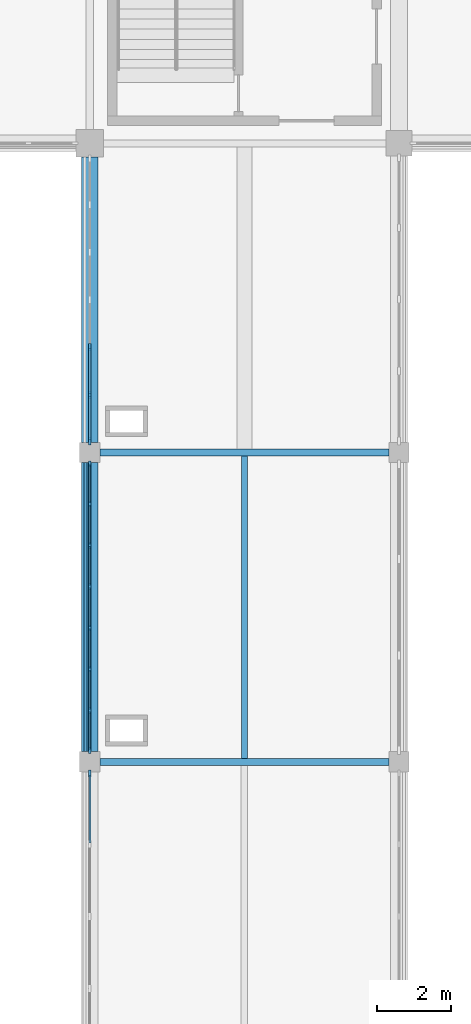
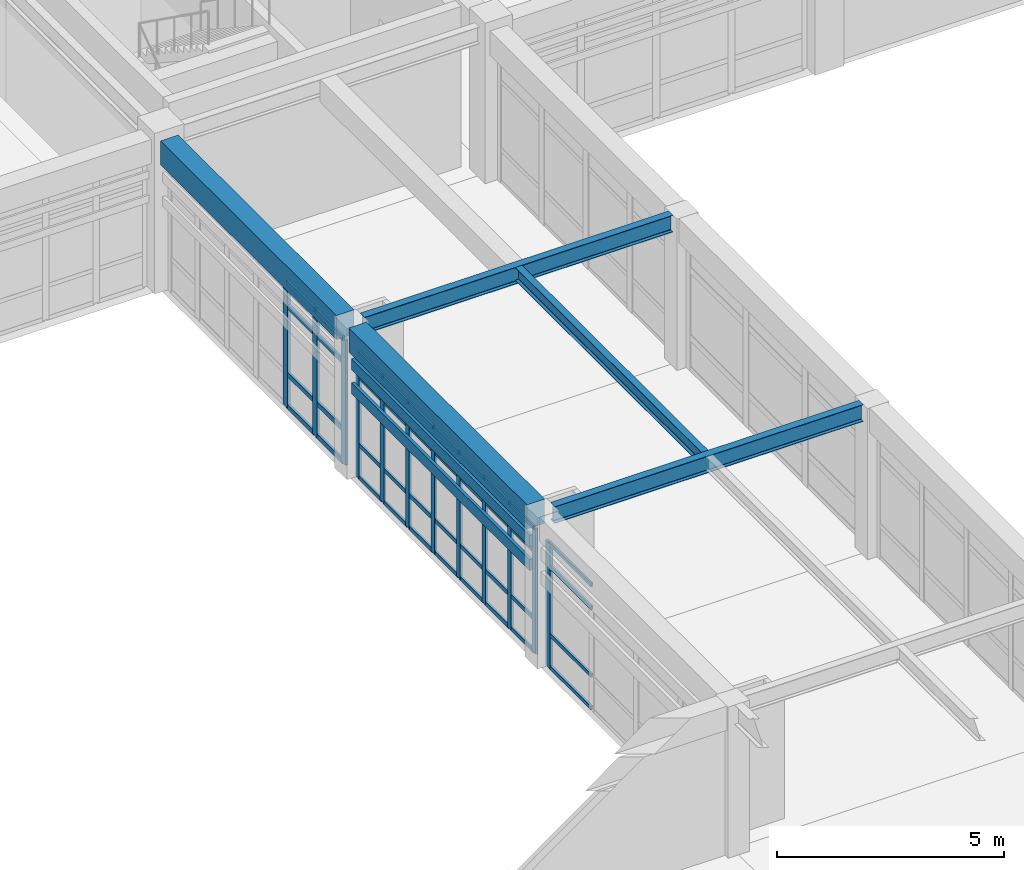
# One storey, part 9 of 40: 54 members, 5 beams, 3 elements without a shape of their own.
"""IFC4 building model written with IfcOpenShell, lengths in metres."""

from ifc_helpers import new_model, si_unit, direction, frame, origin, origin_2d, place, context, subcontext, project, spatial, rectangle, i_section, extrude, material, layer, layer_set, material_profile, profile_set, type_object, element, aggregate, save


model = new_model("IFC4")

# Units and contexts
model_context = context("Model", 3, precision=1e-05, world=origin(), true_north=direction((0.0, 1.0)))
body_context = subcontext(model_context, "Body", "Model", "MODEL_VIEW")
ifc_project = project(units=[si_unit("LENGTHUNIT", "METRE"), si_unit("AREAUNIT", "SQUARE_METRE"), si_unit("VOLUMEUNIT", "CUBIC_METRE"), si_unit("PLANEANGLEUNIT", "RADIAN"), si_unit("MASSUNIT", "GRAM", prefix="KILO")], contexts=[model_context])

# Site, building, storey
site_placement = place(None, origin())
site = spatial("IfcSite", under=ifc_project, at=site_placement, CompositionType="ELEMENT")
building_placement = place(site_placement, origin())
building = spatial("IfcBuilding", under=site, at=building_placement, Name="Porcellanite Civic Hall", CompositionType="ELEMENT")
storey_placement = place(building_placement, frame((0.0, 0.0, 19.080078125)))
storey = spatial("IfcBuildingStorey", under=building, at=storey_placement, Name="L04", CompositionType="ELEMENT", Elevation=19.080078125)

# Beams
ifc_material_1 = material(Name="Concrete N50 (50 MPa)", Category="concrete")
ifc_material_profile_1 = material_profile(ifc_material_1, rectangle(XDim=0.449951171875, YDim=0.64990234375, at=origin_2d()), Name="RC-450x650")
ifc_profile_set_1 = profile_set([ifc_material_profile_1], Name="Concrete N50 (50 MPa)")
beam_type_1 = type_object("IfcBeamType", Name="BM-RC650", PredefinedType="SPANDREL", material=ifc_profile_set_1)
beam_1_placement = place(storey_placement, frame((50.39990234375, 84.2744140625, 3.744873046875), z_axis=(0.0, 1.0, 0.0), x_axis=(-1.0, 0.0, 0.0)))
element("IfcBeam", 1, at=beam_1_placement, inside=storey, type_object=beam_type_1, Name="Beam Y L04 7-11", PredefinedType="SPANDREL", context=body_context, shape_type="SweptSolid", body=[
    extrude(rectangle(XDim=0.449951171875, YDim=0.64990234375, at=origin_2d()), origin(), (0.0, 0.0, 1.0), 7.85107421875),
])
beam_2_placement = place(storey_placement, frame((50.39990234375, 92.674560546875, 3.744873046875), z_axis=(0.0, 1.0, 0.0), x_axis=(-1.0, 0.0, 0.0)))
element("IfcBeam", 2, at=beam_2_placement, inside=storey, type_object=beam_type_1, Name="Beam Y L04 7-12", PredefinedType="SPANDREL", context=body_context, shape_type="SweptSolid", body=[
    extrude(rectangle(XDim=0.449951171875, YDim=0.64990234375, at=origin_2d()), origin(), (0.0, 0.0, 1.0), 7.7509765625),
])

# Curtain wall, member
ifc_material_2 = material(Name="Anodised aluminium and solar laminated glass", Category="aluminium")
ifc_layer_1 = layer(ifc_material_2, 0.179931640625)
ifc_layer_set_1 = layer_set([ifc_layer_1], Name="Anodised aluminium and solar laminated glass")
curtain_wall_type_1 = type_object("IfcCurtainWallType", Name="CW-SYS04", PredefinedType="NOTDEFINED", material=ifc_layer_set_1)
curtain_wall_1_placement = place(storey_placement, origin())
curtain_wall_1 = element("IfcCurtainWall", 3, at=curtain_wall_1_placement, inside=storey, type_object=curtain_wall_type_1, Name="Curtain wall CW-241", PredefinedType="NOTDEFINED")
ifc_material_3 = material(Name="Anodised aluminium 6063-T6", Category="aluminium")
ifc_material_profile_2 = material_profile(ifc_material_3, rectangle(XDim=0.074951171875, YDim=0.18994140625, at=origin_2d()), Name="AL-75x190")
ifc_profile_set_2 = profile_set([ifc_material_profile_2], Name="Anodised aluminium 6063-T6")
member_type_1 = type_object("IfcMemberType", Name="CWM-04", PredefinedType="MULLION", material=ifc_profile_set_2)
member_1_placement = place(storey_placement, frame((50.39990234375, 83.6865234375, 0.0), z_axis=(0.0, 0.0, 1.0), x_axis=(-1.0, 0.0, 0.0)))
member_1 = element("IfcMember", 4, at=member_1_placement, type_object=member_type_1, Name="CW-241 mullion 5", PredefinedType="MULLION", context=body_context, shape_type="SweptSolid", body=[
    extrude(rectangle(XDim=0.074951171875, YDim=0.18994140625, at=origin_2d()), origin(), (0.0, 0.0, 1.0), 3.369873046875),
])

# Curtain wall, members
ifc_material_4 = material(Name="Anodised aluminium and solar laminated glass", Category="aluminium")
ifc_layer_2 = layer(ifc_material_4, 0.179931640625)
ifc_layer_set_2 = layer_set([ifc_layer_2], Name="Anodised aluminium and solar laminated glass")
curtain_wall_type_2 = type_object("IfcCurtainWallType", Name="CW-SYS01", PredefinedType="NOTDEFINED", material=ifc_layer_set_2)
curtain_wall_2_placement = place(storey_placement, origin())
curtain_wall_2 = element("IfcCurtainWall", 5, at=curtain_wall_2_placement, inside=storey, type_object=curtain_wall_type_2, Name="Curtain wall CW-245", PredefinedType="NOTDEFINED")
ifc_material_5 = material(Name="Anodised aluminium 6063-T6", Category="aluminium")
ifc_material_profile_3 = material_profile(ifc_material_5, rectangle(XDim=0.070068359375, YDim=0.199951171875, at=origin_2d()), Name="AL-70x200")
ifc_profile_set_3 = profile_set([ifc_material_profile_3], Name="Anodised aluminium 6063-T6")
member_type_2 = type_object("IfcMemberType", Name="CWM-05", PredefinedType="MULLION", material=ifc_profile_set_3)
member_2_placement = place(storey_placement, frame((50.39990234375, 92.7109375, 0.0), z_axis=(0.0, 0.0, 1.0), x_axis=(-1.0, 0.0, 0.0)))
member_2 = element("IfcMember", 6, at=member_2_placement, type_object=member_type_2, Name="CW-245 mullion 1", PredefinedType="MULLION", context=body_context, shape_type="SweptSolid", body=[
    extrude(rectangle(XDim=0.070068359375, YDim=0.199951171875, at=origin_2d()), origin(), (0.0, 0.0, 1.0), 3.369873046875),
])
member_3_placement = place(storey_placement, frame((50.39990234375, 93.96728515625, 0.0), z_axis=(0.0, 0.0, 1.0), x_axis=(-1.0, 0.0, 0.0)))
member_3 = element("IfcMember", 7, at=member_3_placement, type_object=member_type_2, Name="CW-245 mullion 2", PredefinedType="MULLION", context=body_context, shape_type="SweptSolid", body=[
    extrude(rectangle(XDim=0.070068359375, YDim=0.199951171875, at=origin_2d()), origin(), (0.0, 0.0, 1.0), 3.369873046875),
])
member_4_placement = place(storey_placement, frame((50.39990234375, 95.258544921875, 0.0), z_axis=(0.0, 0.0, 1.0), x_axis=(-1.0, 0.0, 0.0)))
member_4 = element("IfcMember", 8, at=member_4_placement, type_object=member_type_2, Name="CW-245 mullion 3", PredefinedType="MULLION", context=body_context, shape_type="SweptSolid", body=[
    extrude(rectangle(XDim=0.070068359375, YDim=0.199951171875, at=origin_2d()), origin(), (0.0, 0.0, 1.0), 3.369873046875),
])

ifc_material_6 = material(Name="Anodised aluminium and solar laminated glass", Category="aluminium")
ifc_layer_3 = layer(ifc_material_6, 0.179931640625)
ifc_layer_set_3 = layer_set([ifc_layer_3], Name="Anodised aluminium and solar laminated glass")
curtain_wall_type_3 = type_object("IfcCurtainWallType", Name="CW-SYS07", PredefinedType="NOTDEFINED", material=ifc_layer_set_3)
curtain_wall_3_placement = place(storey_placement, origin())
curtain_wall_3 = element("IfcCurtainWall", 9, at=curtain_wall_3_placement, inside=storey, type_object=curtain_wall_type_3, Name="Curtain wall CW-243", PredefinedType="NOTDEFINED")
ifc_material_7 = material(Name="Anodised aluminium 6063-T6", Category="aluminium")
ifc_material_profile_4 = material_profile(ifc_material_7, rectangle(XDim=0.06005859375, YDim=0.159912109375, at=origin_2d()), Name="AL-60x160")
ifc_profile_set_4 = profile_set([ifc_material_profile_4], Name="Anodised aluminium 6063-T6")
member_type_3 = type_object("IfcMemberType", Name="CWM-07", PredefinedType="MULLION", material=ifc_profile_set_4)
member_5_placement = place(storey_placement, frame((50.39990234375, 84.305908203125, 0.0), z_axis=(0.0, 0.0, 1.0), x_axis=(-1.0, 0.0, 0.0)))
member_5 = element("IfcMember", 10, at=member_5_placement, type_object=member_type_3, Name="CW-243 mullion 1", PredefinedType="MULLION", context=body_context, shape_type="SweptSolid", body=[
    extrude(rectangle(XDim=0.06005859375, YDim=0.159912109375, at=origin_2d()), origin(), (0.0, 0.0, 1.0), 3.369873046875),
])
member_6_placement = place(storey_placement, frame((50.39990234375, 85.397216796875, 0.0), z_axis=(0.0, 0.0, 1.0), x_axis=(-1.0, 0.0, 0.0)))
member_6 = element("IfcMember", 11, at=member_6_placement, type_object=member_type_3, Name="CW-243 mullion 2", PredefinedType="MULLION", context=body_context, shape_type="SweptSolid", body=[
    extrude(rectangle(XDim=0.06005859375, YDim=0.159912109375, at=origin_2d()), origin(), (0.0, 0.0, 1.0), 3.369873046875),
])
member_7_placement = place(storey_placement, frame((50.39990234375, 86.518310546875, 0.0), z_axis=(0.0, 0.0, 1.0), x_axis=(-1.0, 0.0, 0.0)))
member_7 = element("IfcMember", 12, at=member_7_placement, type_object=member_type_3, Name="CW-243 mullion 3", PredefinedType="MULLION", context=body_context, shape_type="SweptSolid", body=[
    extrude(rectangle(XDim=0.06005859375, YDim=0.159912109375, at=origin_2d()), origin(), (0.0, 0.0, 1.0), 3.369873046875),
])
member_8_placement = place(storey_placement, frame((50.39990234375, 87.639404296875, 0.0), z_axis=(0.0, 0.0, 1.0), x_axis=(-1.0, 0.0, 0.0)))
member_8 = element("IfcMember", 13, at=member_8_placement, type_object=member_type_3, Name="CW-243 mullion 4", PredefinedType="MULLION", context=body_context, shape_type="SweptSolid", body=[
    extrude(rectangle(XDim=0.06005859375, YDim=0.159912109375, at=origin_2d()), origin(), (0.0, 0.0, 1.0), 3.369873046875),
])
member_9_placement = place(storey_placement, frame((50.39990234375, 88.760498046875, 0.0), z_axis=(0.0, 0.0, 1.0), x_axis=(-1.0, 0.0, 0.0)))
member_9 = element("IfcMember", 14, at=member_9_placement, type_object=member_type_3, Name="CW-243 mullion 5", PredefinedType="MULLION", context=body_context, shape_type="SweptSolid", body=[
    extrude(rectangle(XDim=0.06005859375, YDim=0.159912109375, at=origin_2d()), origin(), (0.0, 0.0, 1.0), 3.369873046875),
])
member_10_placement = place(storey_placement, frame((50.39990234375, 89.8818359375, 0.0), z_axis=(0.0, 0.0, 1.0), x_axis=(-1.0, 0.0, 0.0)))
member_10 = element("IfcMember", 15, at=member_10_placement, type_object=member_type_3, Name="CW-243 mullion 6", PredefinedType="MULLION", context=body_context, shape_type="SweptSolid", body=[
    extrude(rectangle(XDim=0.06005859375, YDim=0.159912109375, at=origin_2d()), origin(), (0.0, 0.0, 1.0), 3.369873046875),
])
member_11_placement = place(storey_placement, frame((50.39990234375, 91.0029296875, 0.0), z_axis=(0.0, 0.0, 1.0), x_axis=(-1.0, 0.0, 0.0)))
member_11 = element("IfcMember", 16, at=member_11_placement, type_object=member_type_3, Name="CW-243 mullion 7", PredefinedType="MULLION", context=body_context, shape_type="SweptSolid", body=[
    extrude(rectangle(XDim=0.06005859375, YDim=0.159912109375, at=origin_2d()), origin(), (0.0, 0.0, 1.0), 3.369873046875),
])
member_12_placement = place(storey_placement, frame((50.39990234375, 92.093994140625, 0.0), z_axis=(0.0, 0.0, 1.0), x_axis=(-1.0, 0.0, 0.0)))
member_12 = element("IfcMember", 17, at=member_12_placement, type_object=member_type_3, Name="CW-243 mullion 8", PredefinedType="MULLION", context=body_context, shape_type="SweptSolid", body=[
    extrude(rectangle(XDim=0.06005859375, YDim=0.159912109375, at=origin_2d()), origin(), (0.0, 0.0, 1.0), 3.369873046875),
])

# Member
ifc_material_8 = material(Name="Anodised aluminium 6063-T6", Category="aluminium")
ifc_material_profile_5 = material_profile(ifc_material_8, rectangle(XDim=0.06005859375, YDim=0.1298828125, at=origin_2d()), Name="AL-60x130")
ifc_profile_set_5 = profile_set([ifc_material_profile_5], Name="Anodised aluminium 6063-T6")
member_type_4 = type_object("IfcMemberType", Name="CWT-03", PredefinedType="USERDEFINED", material=ifc_profile_set_5)
member_13_placement = place(storey_placement, frame((50.39990234375, 92.74609375, 0.030029296875), z_axis=(0.0, 1.0, 0.0), x_axis=(-1.0, 0.0, 0.0)))
member_13 = element("IfcMember", 18, at=member_13_placement, type_object=member_type_4, Name="CW-245 transom 1.1", ObjectType="TRANSOM", PredefinedType="USERDEFINED", context=body_context, shape_type="SweptSolid", body=[
    extrude(rectangle(XDim=0.06005859375, YDim=0.1298828125, at=origin_2d()), origin(), (0.0, 0.0, 1.0), 1.186279296875),
])

member_14_placement = place(storey_placement, frame((50.39990234375, 92.74609375, 0.89990234375), z_axis=(0.0, 1.0, 0.0), x_axis=(-1.0, 0.0, 0.0)))
member_14 = element("IfcMember", 19, at=member_14_placement, type_object=member_type_4, Name="CW-245 transom 1.2", ObjectType="TRANSOM", PredefinedType="USERDEFINED", context=body_context, shape_type="SweptSolid", body=[
    extrude(rectangle(XDim=0.06005859375, YDim=0.1298828125, at=origin_2d()), origin(), (0.0, 0.0, 1.0), 1.186279296875),
])

member_15_placement = place(storey_placement, frame((50.39990234375, 92.74609375, 2.719970703125), z_axis=(0.0, 1.0, 0.0), x_axis=(-1.0, 0.0, 0.0)))
member_15 = element("IfcMember", 20, at=member_15_placement, type_object=member_type_4, Name="CW-245 transom 1.3", ObjectType="TRANSOM", PredefinedType="USERDEFINED", context=body_context, shape_type="SweptSolid", body=[
    extrude(rectangle(XDim=0.06005859375, YDim=0.1298828125, at=origin_2d()), origin(), (0.0, 0.0, 1.0), 1.186279296875),
])

member_16_placement = place(storey_placement, frame((50.39990234375, 92.74609375, 3.33984375), z_axis=(0.0, 1.0, 0.0), x_axis=(-1.0, 0.0, 0.0)))
member_16 = element("IfcMember", 21, at=member_16_placement, type_object=member_type_4, Name="CW-245 transom 1.4", ObjectType="TRANSOM", PredefinedType="USERDEFINED", context=body_context, shape_type="SweptSolid", body=[
    extrude(rectangle(XDim=0.06005859375, YDim=0.1298828125, at=origin_2d()), origin(), (0.0, 0.0, 1.0), 1.186279296875),
])

member_17_placement = place(storey_placement, frame((50.39990234375, 94.00244140625, 0.030029296875), z_axis=(0.0, 1.0, 0.0), x_axis=(-1.0, 0.0, 0.0)))
member_17 = element("IfcMember", 22, at=member_17_placement, type_object=member_type_4, Name="CW-245 transom 2.1", ObjectType="TRANSOM", PredefinedType="USERDEFINED", context=body_context, shape_type="SweptSolid", body=[
    extrude(rectangle(XDim=0.06005859375, YDim=0.1298828125, at=origin_2d()), origin(), (0.0, 0.0, 1.0), 1.22119140625),
])

member_18_placement = place(storey_placement, frame((50.39990234375, 94.00244140625, 0.89990234375), z_axis=(0.0, 1.0, 0.0), x_axis=(-1.0, 0.0, 0.0)))
member_18 = element("IfcMember", 23, at=member_18_placement, type_object=member_type_4, Name="CW-245 transom 2.2", ObjectType="TRANSOM", PredefinedType="USERDEFINED", context=body_context, shape_type="SweptSolid", body=[
    extrude(rectangle(XDim=0.06005859375, YDim=0.1298828125, at=origin_2d()), origin(), (0.0, 0.0, 1.0), 1.22119140625),
])

member_19_placement = place(storey_placement, frame((50.39990234375, 94.00244140625, 2.719970703125), z_axis=(0.0, 1.0, 0.0), x_axis=(-1.0, 0.0, 0.0)))
member_19 = element("IfcMember", 24, at=member_19_placement, type_object=member_type_4, Name="CW-245 transom 2.3", ObjectType="TRANSOM", PredefinedType="USERDEFINED", context=body_context, shape_type="SweptSolid", body=[
    extrude(rectangle(XDim=0.06005859375, YDim=0.1298828125, at=origin_2d()), origin(), (0.0, 0.0, 1.0), 1.22119140625),
])

member_20_placement = place(storey_placement, frame((50.39990234375, 94.00244140625, 3.33984375), z_axis=(0.0, 1.0, 0.0), x_axis=(-1.0, 0.0, 0.0)))
member_20 = element("IfcMember", 25, at=member_20_placement, type_object=member_type_4, Name="CW-245 transom 2.4", ObjectType="TRANSOM", PredefinedType="USERDEFINED", context=body_context, shape_type="SweptSolid", body=[
    extrude(rectangle(XDim=0.06005859375, YDim=0.1298828125, at=origin_2d()), origin(), (0.0, 0.0, 1.0), 1.22119140625),
])

aggregate(curtain_wall_2, [member_2, member_3, member_4, member_13, member_14, member_15, member_16, member_17, member_18, member_19, member_20])

ifc_material_9 = material(Name="Anodised aluminium 6063-T6", Category="aluminium")
ifc_material_profile_6 = material_profile(ifc_material_9, rectangle(XDim=0.054931640625, YDim=0.10009765625, at=origin_2d()), Name="AL-55x100")
ifc_profile_set_6 = profile_set([ifc_material_profile_6], Name="Anodised aluminium 6063-T6")
member_type_5 = type_object("IfcMemberType", Name="CWT-05", PredefinedType="USERDEFINED", material=ifc_profile_set_6)
member_21_placement = place(storey_placement, frame((50.39990234375, 81.799560546875, 0.02734375), z_axis=(0.0, 1.0, 0.0), x_axis=(-1.0, 0.0, 0.0)))
member_21 = element("IfcMember", 26, at=member_21_placement, type_object=member_type_5, Name="CW-241 transom 4.1", ObjectType="TRANSOM", PredefinedType="USERDEFINED", context=body_context, shape_type="SweptSolid", body=[
    extrude(rectangle(XDim=0.054931640625, YDim=0.10009765625, at=origin_2d()), origin(), (0.0, 0.0, 1.0), 1.849365234375),
])

member_22_placement = place(storey_placement, frame((50.39990234375, 81.799560546875, 0.89990234375), z_axis=(0.0, 1.0, 0.0), x_axis=(-1.0, 0.0, 0.0)))
member_22 = element("IfcMember", 27, at=member_22_placement, type_object=member_type_5, Name="CW-241 transom 4.2", ObjectType="TRANSOM", PredefinedType="USERDEFINED", context=body_context, shape_type="SweptSolid", body=[
    extrude(rectangle(XDim=0.054931640625, YDim=0.10009765625, at=origin_2d()), origin(), (0.0, 0.0, 1.0), 1.849365234375),
])

member_23_placement = place(storey_placement, frame((50.39990234375, 81.799560546875, 2.719970703125), z_axis=(0.0, 1.0, 0.0), x_axis=(-1.0, 0.0, 0.0)))
member_23 = element("IfcMember", 28, at=member_23_placement, type_object=member_type_5, Name="CW-241 transom 4.3", ObjectType="TRANSOM", PredefinedType="USERDEFINED", context=body_context, shape_type="SweptSolid", body=[
    extrude(rectangle(XDim=0.054931640625, YDim=0.10009765625, at=origin_2d()), origin(), (0.0, 0.0, 1.0), 1.849365234375),
])

member_24_placement = place(storey_placement, frame((50.39990234375, 81.799560546875, 3.342529296875), z_axis=(0.0, 1.0, 0.0), x_axis=(-1.0, 0.0, 0.0)))
member_24 = element("IfcMember", 29, at=member_24_placement, type_object=member_type_5, Name="CW-241 transom 4.4", ObjectType="TRANSOM", PredefinedType="USERDEFINED", context=body_context, shape_type="SweptSolid", body=[
    extrude(rectangle(XDim=0.054931640625, YDim=0.10009765625, at=origin_2d()), origin(), (0.0, 0.0, 1.0), 1.849365234375),
])

aggregate(curtain_wall_1, [member_1, member_21, member_22, member_23, member_24])

ifc_material_10 = material(Name="Anodised aluminium 6063-T6", Category="aluminium")
ifc_material_profile_7 = material_profile(ifc_material_10, rectangle(XDim=0.050048828125, YDim=0.110107421875, at=origin_2d()), Name="AL-50x110")
ifc_profile_set_7 = profile_set([ifc_material_profile_7], Name="Anodised aluminium 6063-T6")
member_type_6 = type_object("IfcMemberType", Name="CWT-07", PredefinedType="USERDEFINED", material=ifc_profile_set_7)
member_25_placement = place(storey_placement, frame((50.39990234375, 84.3359375, 0.02490234375), z_axis=(0.0, 1.0, 0.0), x_axis=(-1.0, 0.0, 0.0)))
member_25 = element("IfcMember", 30, at=member_25_placement, type_object=member_type_6, Name="CW-243 transom 1.1", ObjectType="TRANSOM", PredefinedType="USERDEFINED", context=body_context, shape_type="SweptSolid", body=[
    extrude(rectangle(XDim=0.050048828125, YDim=0.110107421875, at=origin_2d()), origin(), (0.0, 0.0, 1.0), 1.03125),
])

member_26_placement = place(storey_placement, frame((50.39990234375, 84.3359375, 0.89990234375), z_axis=(0.0, 1.0, 0.0), x_axis=(-1.0, 0.0, 0.0)))
member_26 = element("IfcMember", 31, at=member_26_placement, type_object=member_type_6, Name="CW-243 transom 1.2", ObjectType="TRANSOM", PredefinedType="USERDEFINED", context=body_context, shape_type="SweptSolid", body=[
    extrude(rectangle(XDim=0.050048828125, YDim=0.110107421875, at=origin_2d()), origin(), (0.0, 0.0, 1.0), 1.03125),
])

member_27_placement = place(storey_placement, frame((50.39990234375, 84.3359375, 2.719970703125), z_axis=(0.0, 1.0, 0.0), x_axis=(-1.0, 0.0, 0.0)))
member_27 = element("IfcMember", 32, at=member_27_placement, type_object=member_type_6, Name="CW-243 transom 1.3", ObjectType="TRANSOM", PredefinedType="USERDEFINED", context=body_context, shape_type="SweptSolid", body=[
    extrude(rectangle(XDim=0.050048828125, YDim=0.110107421875, at=origin_2d()), origin(), (0.0, 0.0, 1.0), 1.03125),
])

member_28_placement = place(storey_placement, frame((50.39990234375, 84.3359375, 3.344970703125), z_axis=(0.0, 1.0, 0.0), x_axis=(-1.0, 0.0, 0.0)))
member_28 = element("IfcMember", 33, at=member_28_placement, type_object=member_type_6, Name="CW-243 transom 1.4", ObjectType="TRANSOM", PredefinedType="USERDEFINED", context=body_context, shape_type="SweptSolid", body=[
    extrude(rectangle(XDim=0.050048828125, YDim=0.110107421875, at=origin_2d()), origin(), (0.0, 0.0, 1.0), 1.03125),
])

member_29_placement = place(storey_placement, frame((50.39990234375, 85.42724609375, 0.02490234375), z_axis=(0.0, 1.0, 0.0), x_axis=(-1.0, 0.0, 0.0)))
member_29 = element("IfcMember", 34, at=member_29_placement, type_object=member_type_6, Name="CW-243 transom 2.1", ObjectType="TRANSOM", PredefinedType="USERDEFINED", context=body_context, shape_type="SweptSolid", body=[
    extrude(rectangle(XDim=0.050048828125, YDim=0.110107421875, at=origin_2d()), origin(), (0.0, 0.0, 1.0), 1.06103515625),
])

member_30_placement = place(storey_placement, frame((50.39990234375, 85.42724609375, 0.89990234375), z_axis=(0.0, 1.0, 0.0), x_axis=(-1.0, 0.0, 0.0)))
member_30 = element("IfcMember", 35, at=member_30_placement, type_object=member_type_6, Name="CW-243 transom 2.2", ObjectType="TRANSOM", PredefinedType="USERDEFINED", context=body_context, shape_type="SweptSolid", body=[
    extrude(rectangle(XDim=0.050048828125, YDim=0.110107421875, at=origin_2d()), origin(), (0.0, 0.0, 1.0), 1.06103515625),
])

member_31_placement = place(storey_placement, frame((50.39990234375, 85.42724609375, 2.719970703125), z_axis=(0.0, 1.0, 0.0), x_axis=(-1.0, 0.0, 0.0)))
member_31 = element("IfcMember", 36, at=member_31_placement, type_object=member_type_6, Name="CW-243 transom 2.3", ObjectType="TRANSOM", PredefinedType="USERDEFINED", context=body_context, shape_type="SweptSolid", body=[
    extrude(rectangle(XDim=0.050048828125, YDim=0.110107421875, at=origin_2d()), origin(), (0.0, 0.0, 1.0), 1.06103515625),
])

member_32_placement = place(storey_placement, frame((50.39990234375, 85.42724609375, 3.344970703125), z_axis=(0.0, 1.0, 0.0), x_axis=(-1.0, 0.0, 0.0)))
member_32 = element("IfcMember", 37, at=member_32_placement, type_object=member_type_6, Name="CW-243 transom 2.4", ObjectType="TRANSOM", PredefinedType="USERDEFINED", context=body_context, shape_type="SweptSolid", body=[
    extrude(rectangle(XDim=0.050048828125, YDim=0.110107421875, at=origin_2d()), origin(), (0.0, 0.0, 1.0), 1.06103515625),
])

member_33_placement = place(storey_placement, frame((50.39990234375, 86.54833984375, 0.02490234375), z_axis=(0.0, 1.0, 0.0), x_axis=(-1.0, 0.0, 0.0)))
member_33 = element("IfcMember", 38, at=member_33_placement, type_object=member_type_6, Name="CW-243 transom 3.1", ObjectType="TRANSOM", PredefinedType="USERDEFINED", context=body_context, shape_type="SweptSolid", body=[
    extrude(rectangle(XDim=0.050048828125, YDim=0.110107421875, at=origin_2d()), origin(), (0.0, 0.0, 1.0), 1.06103515625),
])

member_34_placement = place(storey_placement, frame((50.39990234375, 86.54833984375, 0.89990234375), z_axis=(0.0, 1.0, 0.0), x_axis=(-1.0, 0.0, 0.0)))
member_34 = element("IfcMember", 39, at=member_34_placement, type_object=member_type_6, Name="CW-243 transom 3.2", ObjectType="TRANSOM", PredefinedType="USERDEFINED", context=body_context, shape_type="SweptSolid", body=[
    extrude(rectangle(XDim=0.050048828125, YDim=0.110107421875, at=origin_2d()), origin(), (0.0, 0.0, 1.0), 1.06103515625),
])

member_35_placement = place(storey_placement, frame((50.39990234375, 86.54833984375, 2.719970703125), z_axis=(0.0, 1.0, 0.0), x_axis=(-1.0, 0.0, 0.0)))
member_35 = element("IfcMember", 40, at=member_35_placement, type_object=member_type_6, Name="CW-243 transom 3.3", ObjectType="TRANSOM", PredefinedType="USERDEFINED", context=body_context, shape_type="SweptSolid", body=[
    extrude(rectangle(XDim=0.050048828125, YDim=0.110107421875, at=origin_2d()), origin(), (0.0, 0.0, 1.0), 1.06103515625),
])

member_36_placement = place(storey_placement, frame((50.39990234375, 86.54833984375, 3.344970703125), z_axis=(0.0, 1.0, 0.0), x_axis=(-1.0, 0.0, 0.0)))
member_36 = element("IfcMember", 41, at=member_36_placement, type_object=member_type_6, Name="CW-243 transom 3.4", ObjectType="TRANSOM", PredefinedType="USERDEFINED", context=body_context, shape_type="SweptSolid", body=[
    extrude(rectangle(XDim=0.050048828125, YDim=0.110107421875, at=origin_2d()), origin(), (0.0, 0.0, 1.0), 1.06103515625),
])

member_37_placement = place(storey_placement, frame((50.39990234375, 87.66943359375, 0.02490234375), z_axis=(0.0, 1.0, 0.0), x_axis=(-1.0, 0.0, 0.0)))
member_37 = element("IfcMember", 42, at=member_37_placement, type_object=member_type_6, Name="CW-243 transom 4.1", ObjectType="TRANSOM", PredefinedType="USERDEFINED", context=body_context, shape_type="SweptSolid", body=[
    extrude(rectangle(XDim=0.050048828125, YDim=0.110107421875, at=origin_2d()), origin(), (0.0, 0.0, 1.0), 1.06103515625),
])

member_38_placement = place(storey_placement, frame((50.39990234375, 87.66943359375, 0.89990234375), z_axis=(0.0, 1.0, 0.0), x_axis=(-1.0, 0.0, 0.0)))
member_38 = element("IfcMember", 43, at=member_38_placement, type_object=member_type_6, Name="CW-243 transom 4.2", ObjectType="TRANSOM", PredefinedType="USERDEFINED", context=body_context, shape_type="SweptSolid", body=[
    extrude(rectangle(XDim=0.050048828125, YDim=0.110107421875, at=origin_2d()), origin(), (0.0, 0.0, 1.0), 1.06103515625),
])

member_39_placement = place(storey_placement, frame((50.39990234375, 87.66943359375, 2.719970703125), z_axis=(0.0, 1.0, 0.0), x_axis=(-1.0, 0.0, 0.0)))
member_39 = element("IfcMember", 44, at=member_39_placement, type_object=member_type_6, Name="CW-243 transom 4.3", ObjectType="TRANSOM", PredefinedType="USERDEFINED", context=body_context, shape_type="SweptSolid", body=[
    extrude(rectangle(XDim=0.050048828125, YDim=0.110107421875, at=origin_2d()), origin(), (0.0, 0.0, 1.0), 1.06103515625),
])

member_40_placement = place(storey_placement, frame((50.39990234375, 87.66943359375, 3.344970703125), z_axis=(0.0, 1.0, 0.0), x_axis=(-1.0, 0.0, 0.0)))
member_40 = element("IfcMember", 45, at=member_40_placement, type_object=member_type_6, Name="CW-243 transom 4.4", ObjectType="TRANSOM", PredefinedType="USERDEFINED", context=body_context, shape_type="SweptSolid", body=[
    extrude(rectangle(XDim=0.050048828125, YDim=0.110107421875, at=origin_2d()), origin(), (0.0, 0.0, 1.0), 1.06103515625),
])

member_41_placement = place(storey_placement, frame((50.39990234375, 88.79052734375, 0.02490234375), z_axis=(0.0, 1.0, 0.0), x_axis=(-1.0, 0.0, 0.0)))
member_41 = element("IfcMember", 46, at=member_41_placement, type_object=member_type_6, Name="CW-243 transom 5.1", ObjectType="TRANSOM", PredefinedType="USERDEFINED", context=body_context, shape_type="SweptSolid", body=[
    extrude(rectangle(XDim=0.050048828125, YDim=0.110107421875, at=origin_2d()), origin(), (0.0, 0.0, 1.0), 1.061279296875),
])

member_42_placement = place(storey_placement, frame((50.39990234375, 88.79052734375, 0.89990234375), z_axis=(0.0, 1.0, 0.0), x_axis=(-1.0, 0.0, 0.0)))
member_42 = element("IfcMember", 47, at=member_42_placement, type_object=member_type_6, Name="CW-243 transom 5.2", ObjectType="TRANSOM", PredefinedType="USERDEFINED", context=body_context, shape_type="SweptSolid", body=[
    extrude(rectangle(XDim=0.050048828125, YDim=0.110107421875, at=origin_2d()), origin(), (0.0, 0.0, 1.0), 1.061279296875),
])

member_43_placement = place(storey_placement, frame((50.39990234375, 88.79052734375, 2.719970703125), z_axis=(0.0, 1.0, 0.0), x_axis=(-1.0, 0.0, 0.0)))
member_43 = element("IfcMember", 48, at=member_43_placement, type_object=member_type_6, Name="CW-243 transom 5.3", ObjectType="TRANSOM", PredefinedType="USERDEFINED", context=body_context, shape_type="SweptSolid", body=[
    extrude(rectangle(XDim=0.050048828125, YDim=0.110107421875, at=origin_2d()), origin(), (0.0, 0.0, 1.0), 1.061279296875),
])

member_44_placement = place(storey_placement, frame((50.39990234375, 88.79052734375, 3.344970703125), z_axis=(0.0, 1.0, 0.0), x_axis=(-1.0, 0.0, 0.0)))
member_44 = element("IfcMember", 49, at=member_44_placement, type_object=member_type_6, Name="CW-243 transom 5.4", ObjectType="TRANSOM", PredefinedType="USERDEFINED", context=body_context, shape_type="SweptSolid", body=[
    extrude(rectangle(XDim=0.050048828125, YDim=0.110107421875, at=origin_2d()), origin(), (0.0, 0.0, 1.0), 1.061279296875),
])

member_45_placement = place(storey_placement, frame((50.39990234375, 89.91162109375, 0.02490234375), z_axis=(0.0, 1.0, 0.0), x_axis=(-1.0, 0.0, 0.0)))
member_45 = element("IfcMember", 50, at=member_45_placement, type_object=member_type_6, Name="CW-243 transom 6.1", ObjectType="TRANSOM", PredefinedType="USERDEFINED", context=body_context, shape_type="SweptSolid", body=[
    extrude(rectangle(XDim=0.050048828125, YDim=0.110107421875, at=origin_2d()), origin(), (0.0, 0.0, 1.0), 1.061279296875),
])

member_46_placement = place(storey_placement, frame((50.39990234375, 89.91162109375, 0.89990234375), z_axis=(0.0, 1.0, 0.0), x_axis=(-1.0, 0.0, 0.0)))
member_46 = element("IfcMember", 51, at=member_46_placement, type_object=member_type_6, Name="CW-243 transom 6.2", ObjectType="TRANSOM", PredefinedType="USERDEFINED", context=body_context, shape_type="SweptSolid", body=[
    extrude(rectangle(XDim=0.050048828125, YDim=0.110107421875, at=origin_2d()), origin(), (0.0, 0.0, 1.0), 1.061279296875),
])

member_47_placement = place(storey_placement, frame((50.39990234375, 89.91162109375, 2.719970703125), z_axis=(0.0, 1.0, 0.0), x_axis=(-1.0, 0.0, 0.0)))
member_47 = element("IfcMember", 52, at=member_47_placement, type_object=member_type_6, Name="CW-243 transom 6.3", ObjectType="TRANSOM", PredefinedType="USERDEFINED", context=body_context, shape_type="SweptSolid", body=[
    extrude(rectangle(XDim=0.050048828125, YDim=0.110107421875, at=origin_2d()), origin(), (0.0, 0.0, 1.0), 1.061279296875),
])

member_48_placement = place(storey_placement, frame((50.39990234375, 89.91162109375, 3.344970703125), z_axis=(0.0, 1.0, 0.0), x_axis=(-1.0, 0.0, 0.0)))
member_48 = element("IfcMember", 53, at=member_48_placement, type_object=member_type_6, Name="CW-243 transom 6.4", ObjectType="TRANSOM", PredefinedType="USERDEFINED", context=body_context, shape_type="SweptSolid", body=[
    extrude(rectangle(XDim=0.050048828125, YDim=0.110107421875, at=origin_2d()), origin(), (0.0, 0.0, 1.0), 1.061279296875),
])

member_49_placement = place(storey_placement, frame((50.39990234375, 91.032958984375, 0.02490234375), z_axis=(0.0, 1.0, 0.0), x_axis=(-1.0, 0.0, 0.0)))
member_49 = element("IfcMember", 54, at=member_49_placement, type_object=member_type_6, Name="CW-243 transom 7.1", ObjectType="TRANSOM", PredefinedType="USERDEFINED", context=body_context, shape_type="SweptSolid", body=[
    extrude(rectangle(XDim=0.050048828125, YDim=0.110107421875, at=origin_2d()), origin(), (0.0, 0.0, 1.0), 1.031005859375),
])

member_50_placement = place(storey_placement, frame((50.39990234375, 91.032958984375, 0.89990234375), z_axis=(0.0, 1.0, 0.0), x_axis=(-1.0, 0.0, 0.0)))
member_50 = element("IfcMember", 55, at=member_50_placement, type_object=member_type_6, Name="CW-243 transom 7.2", ObjectType="TRANSOM", PredefinedType="USERDEFINED", context=body_context, shape_type="SweptSolid", body=[
    extrude(rectangle(XDim=0.050048828125, YDim=0.110107421875, at=origin_2d()), origin(), (0.0, 0.0, 1.0), 1.031005859375),
])

member_51_placement = place(storey_placement, frame((50.39990234375, 91.032958984375, 2.719970703125), z_axis=(0.0, 1.0, 0.0), x_axis=(-1.0, 0.0, 0.0)))
member_51 = element("IfcMember", 56, at=member_51_placement, type_object=member_type_6, Name="CW-243 transom 7.3", ObjectType="TRANSOM", PredefinedType="USERDEFINED", context=body_context, shape_type="SweptSolid", body=[
    extrude(rectangle(XDim=0.050048828125, YDim=0.110107421875, at=origin_2d()), origin(), (0.0, 0.0, 1.0), 1.031005859375),
])

member_52_placement = place(storey_placement, frame((50.39990234375, 91.032958984375, 3.344970703125), z_axis=(0.0, 1.0, 0.0), x_axis=(-1.0, 0.0, 0.0)))
member_52 = element("IfcMember", 57, at=member_52_placement, type_object=member_type_6, Name="CW-243 transom 7.4", ObjectType="TRANSOM", PredefinedType="USERDEFINED", context=body_context, shape_type="SweptSolid", body=[
    extrude(rectangle(XDim=0.050048828125, YDim=0.110107421875, at=origin_2d()), origin(), (0.0, 0.0, 1.0), 1.031005859375),
])

aggregate(curtain_wall_3, [member_5, member_6, member_7, member_8, member_9, member_10, member_11, member_12, member_25, member_26, member_27, member_28, member_29, member_30, member_31, member_32, member_33, member_34, member_35, member_36, member_37, member_38, member_39, member_40, member_41, member_42, member_43, member_44, member_45, member_46, member_47, member_48, member_49, member_50, member_51, member_52])

# Beam
ifc_material_11 = material(Name="Steel Grade 350", Category="steel")
ifc_material_profile_8 = material_profile(ifc_material_11, i_section(OverallWidth=0.1708984375, OverallDepth=0.35595703125, WebThickness=0.00732421875, FlangeThickness=0.011474609375, FilletRadius=0.011474609375, at=origin_2d()), Name="360UB50.7")
ifc_profile_set_8 = profile_set([ifc_material_profile_8], Name="Steel Grade 350")
beam_type_2 = type_object("IfcBeamType", Name="JST-360UB51", PredefinedType="JOIST", material=ifc_profile_set_8)
beam_3_placement = place(storey_placement, frame((54.60009765625, 84.094482421875, 3.891845703125), z_axis=(0.0, 1.0, 0.0), x_axis=(-1.0, 0.0, 0.0)))
element("IfcBeam", 58, at=beam_3_placement, inside=storey, type_object=beam_type_2, Name="Secondary joist L04 7-11", PredefinedType="JOIST", context=body_context, shape_type="SweptSolid", body=[
    extrude(i_section(OverallWidth=0.1708984375, OverallDepth=0.35595703125, WebThickness=0.00732421875, FlangeThickness=0.011474609375, FilletRadius=0.011474609375, at=origin_2d()), origin(), (0.0, 0.0, 1.0), 8.2109375),
])

# Members
ifc_material_12 = material(Name="Fluoropolymer bauxite-red aluminium 6063-T6", Category="aluminium")
ifc_material_profile_9 = material_profile(ifc_material_12, rectangle(XDim=0.074951171875, YDim=0.300048828125, at=origin_2d()), Name="AL-75x300")
ifc_profile_set_9 = profile_set([ifc_material_profile_9], Name="Fluoropolymer bauxite-red aluminium 6063-T6")
member_type_7 = type_object("IfcMemberType", Name="LV-BLD04", PredefinedType="USERDEFINED", material=ifc_profile_set_9)
for number, where, z_axis, x_axis, name in (
    (59, (50.280517578125, 84.2744140625, 3.06982421875), (0.0, 1.0, 0.0), (-1.0, 0.0, 0.0), "Cyclone sunshade louvre L04 W 6-10 1"),
    (60, (50.280517578125, 84.2744140625, 2.419921875), (0.0, 1.0, 0.0), (-1.0, 0.0, 0.0), "Cyclone sunshade louvre L04 W 6-10 2"),
):
    element("IfcMember", number, at=place(storey_placement, frame(where, z_axis=z_axis, x_axis=x_axis)), inside=storey, type_object=member_type_7, Name=name, ObjectType="LOUVRE BLADE", PredefinedType="USERDEFINED", context=body_context, shape_type="SweptSolid", body=[
        extrude(rectangle(XDim=0.074951171875, YDim=0.300048828125, at=origin_2d()), origin(), (0.0, 0.0, 1.0), 7.85107421875),
    ])

# Beams
ifc_material_13 = material(Name="Steel Grade 350", Category="steel")
ifc_material_profile_10 = material_profile(ifc_material_13, i_section(OverallWidth=0.18994140625, OverallDepth=0.4541015625, WebThickness=0.008544921875, FlangeThickness=0.0126953125, FilletRadius=0.011474609375, at=origin_2d()), Name="460UB67.1")
ifc_profile_set_10 = profile_set([ifc_material_profile_10], Name="Steel Grade 350")
beam_type_3 = type_object("IfcBeamType", Name="RAF-460UB67", PredefinedType="BEAM", material=ifc_profile_set_10)
for number, where, z_axis, x_axis, name in (
    (61, (50.674560546875, 84.0, 3.843017578125), (1.0, 0.0, 0.0), (0.0, 1.0, 0.0), "Beam X L04 7-11"),
    (62, (50.674560546875, 92.39990234375, 3.843017578125), (1.0, 0.0, 0.0), (0.0, 1.0, 0.0), "Beam X L04 7-12"),
):
    element("IfcBeam", number, at=place(storey_placement, frame(where, z_axis=z_axis, x_axis=x_axis)), inside=storey, type_object=beam_type_3, Name=name, PredefinedType="BEAM", context=body_context, shape_type="SweptSolid", body=[
        extrude(i_section(OverallWidth=0.18994140625, OverallDepth=0.4541015625, WebThickness=0.008544921875, FlangeThickness=0.0126953125, FilletRadius=0.011474609375, at=origin_2d()), origin(), (0.0, 0.0, 1.0), 7.850830078125),
    ])

save(model, "model.ifc")
